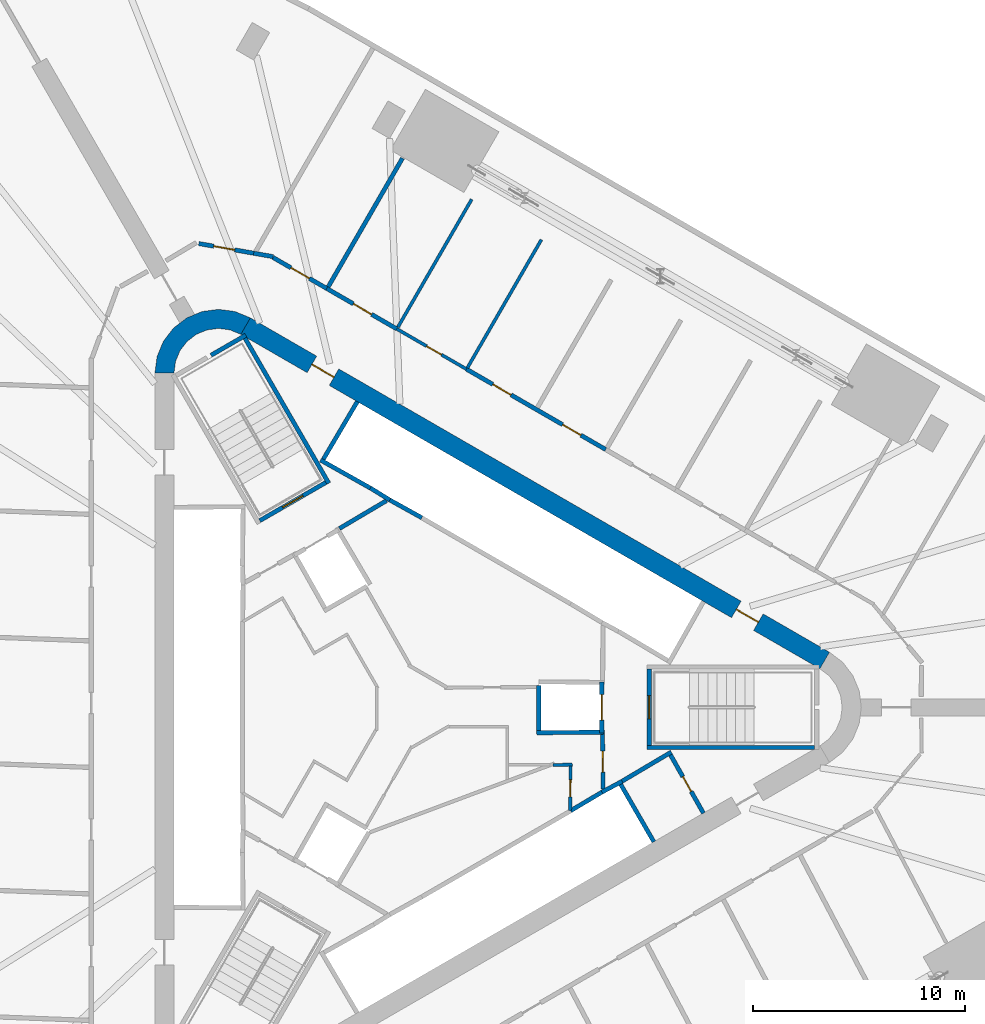
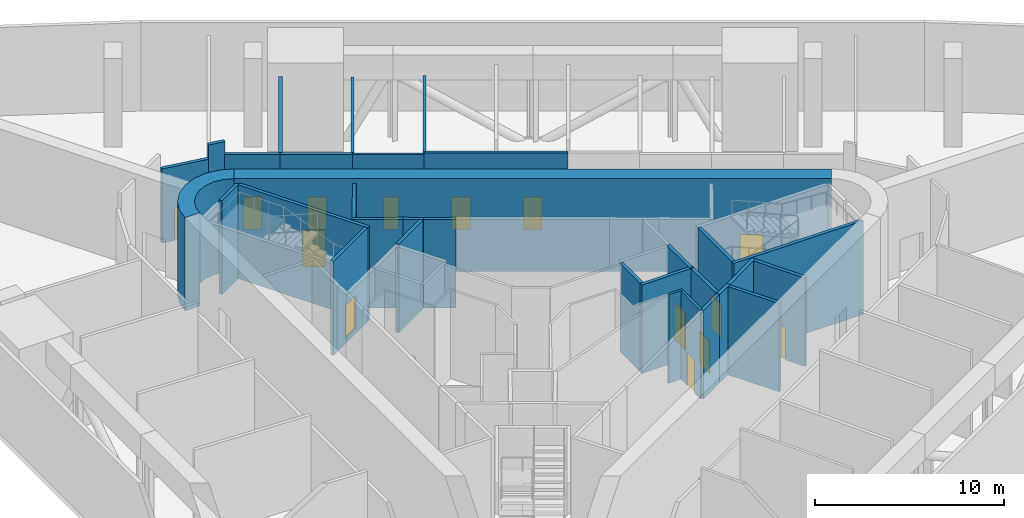
# One storey, part 9 of 14: 32 walls, 14 doors, 14 openings.
"""IFC4 building model written with IfcOpenShell, lengths in metres."""

from ifc_helpers import new_model, si_unit, direction, frame, frame_2d, origin, place, context, subcontext, project, spatial, polyline, rectangle, outline, extrude, material, layer, layer_set, type_object, element, fill, save


model = new_model("IFC4")

# Units and contexts
model_context = context("Model", 3, precision=1e-05, world=origin(), true_north=direction((0.0, 1.0)))
body_context = subcontext(model_context, "Body", "Model", "MODEL_VIEW")
ifc_project = project(units=[si_unit("LENGTHUNIT", "METRE"), si_unit("AREAUNIT", "SQUARE_METRE"), si_unit("VOLUMEUNIT", "CUBIC_METRE"), si_unit("PLANEANGLEUNIT", "RADIAN"), si_unit("MASSUNIT", "GRAM", prefix="KILO")], contexts=[model_context])

# Site, building, storey
site_placement = place(None, origin())
site = spatial("IfcSite", under=ifc_project, at=site_placement, CompositionType="ELEMENT")
building_placement = place(site_placement, origin())
building = spatial("IfcBuilding", under=site, at=building_placement, Name="Tanit Gate Tower", CompositionType="ELEMENT")
storey_placement = place(building_placement, frame((0.0, 0.0, 39.5)))
storey = spatial("IfcBuildingStorey", under=building, at=storey_placement, Name="L06", CompositionType="ELEMENT", Elevation=39.5)

# Wall, openings, doors
ifc_material_1 = material(Name="Concrete C60/75", Category="concrete")
ifc_layer_1 = layer(ifc_material_1, 0.89990234375)
ifc_layer_set_1 = layer_set([ifc_layer_1], Name="CORE WALL 900 C60/75")
wall_type_1 = type_object("IfcWallType", Name="CORE WALL 900 C60/75", PredefinedType="SHEAR", material=ifc_layer_set_1)
wall_1_placement = place(storey_placement, frame((19.47509765625, 2.20849609375, 0.0), z_axis=(0.0, 0.0, 1.0), x_axis=(-0.866028369851, 0.499994862586, 0.0)))
wall_1 = element("IfcWall", 1, at=wall_1_placement, inside=storey, type_object=wall_type_1, Name="CORE WALL", PredefinedType="SHEAR", context=body_context, shape_type="SweptSolid", body=[
    extrude(rectangle(XDim=31.523193359375, YDim=0.89990234375, at=frame_2d((15.76171875, 0.0))), origin(), (0.0, 0.0, 1.0), 6.0),
])
opening_1_placement = place(wall_1_placement, frame((3.611572265625, 0.0, 0.0)))
opening_1 = element("IfcOpeningElement", 2, at=opening_1_placement, cuts=wall_1, Name="Opening F12-06-FL1", PredefinedType="OPENING", context=body_context, shape_type="SweptSolid", body=[
    extrude(rectangle(XDim=1.199951171875, YDim=2.39990234375, at=frame_2d((0.60009765625, 1.199951171875))), frame((0.0, 0.4599609375, 0.0), z_axis=(0.0, -1.0, 0.0), x_axis=(1.0, 0.0, 0.0)), (0.0, 0.0, 1.0), 0.919921875),
])
opening_2_placement = place(wall_1_placement, frame((26.711669921875, 0.0, 0.0)))
opening_2 = element("IfcOpeningElement", 3, at=opening_2_placement, cuts=wall_1, Name="Opening F12-06-S2", PredefinedType="OPENING", context=body_context, shape_type="SweptSolid", body=[
    extrude(rectangle(XDim=1.199951171875, YDim=2.39990234375, at=frame_2d((0.60009765625, 1.199951171875))), frame((0.0, 0.4599609375, 0.0), z_axis=(0.0, -1.0, 0.0), x_axis=(1.0, 0.0, 0.0)), (0.0, 0.0, 1.0), 0.919921875),
])
ifc_material_2 = material(Name="Fire-rated steel door leaf", Category="steel")
door_type_1 = type_object("IfcDoorType", Name="INT-DOOR-FIRE-LOBBY-1200", OperationType="NOTDEFINED", PredefinedType="USERDEFINED", material=ifc_material_2)
door_1_placement = place(opening_1_placement, origin())
door_1 = element("IfcDoor", 4, at=door_1_placement, inside=storey, type_object=door_type_1, Name="Door F12-06-FL1", ObjectType="FIRE DOOR", OperationType="SINGLE_SWING_LEFT", OverallHeight=2.39990234375, OverallWidth=1.199951171875, PredefinedType="USERDEFINED", context=body_context, shape_type="SweptSolid", body=[
    extrude(rectangle(XDim=1.199951171875, YDim=2.39990234375, at=frame_2d((0.60009765625, 1.199951171875))), frame((0.0, 0.02490234375, 0.0), z_axis=(0.0, -1.0, 0.0), x_axis=(1.0, 0.0, 0.0)), (0.0, 0.0, 1.0), 0.050048828125),
])
fill(opening_1, door_1)
door_2_placement = place(opening_2_placement, origin())
door_2 = element("IfcDoor", 5, at=door_2_placement, inside=storey, type_object=door_type_1, Name="Door F12-06-S2", ObjectType="FIRE DOOR", OperationType="SINGLE_SWING_LEFT", OverallHeight=2.39990234375, OverallWidth=1.199951171875, PredefinedType="USERDEFINED", context=body_context, shape_type="SweptSolid", body=[
    extrude(rectangle(XDim=1.199951171875, YDim=2.39990234375, at=frame_2d((0.60009765625, 1.199951171875))), frame((0.0, 0.02490234375, 0.0), z_axis=(0.0, -1.0, 0.0), x_axis=(1.0, 0.0, 0.0)), (0.0, 0.0, 1.0), 0.050048828125),
])
fill(opening_2, door_2)

# Walls
wall_2_placement = place(storey_placement, origin())
element("IfcWall", 6, at=wall_2_placement, inside=storey, type_object=wall_type_1, Name="CORE WALL CORNER", PredefinedType="SHEAR", context=body_context, shape_type="SweptSolid", body=[
    extrude(outline(polyline([(-7.60009765625, 18.359619140625), (-8.323486328125, 18.659423828125), (-9.10009765625, 18.76171875), (-9.87646484375, 18.659423828125), (-10.60009765625, 18.359619140625), (-11.22119140625, 17.883056640625), (-11.697998046875, 17.26171875), (-11.997802734375, 16.5380859375), (-12.10009765625, 15.76171875), (-11.199951171875, 15.76171875), (-11.12841796875, 16.30517578125), (-10.918701171875, 16.811767578125), (-10.5849609375, 17.24658203125), (-10.14990234375, 17.580322265625), (-9.6435546875, 17.7900390625), (-9.10009765625, 17.86181640625), (-8.556396484375, 17.7900390625), (-8.050048828125, 17.580322265625), (-7.60009765625, 18.359619140625)])), origin(), (0.0, 0.0, 1.0), 6.0),
])
ifc_material_3 = material(Name="Fire-rated gypsum board partition")
ifc_layer_2 = layer(ifc_material_3, 0.199951171875)
ifc_layer_set_2 = layer_set([ifc_layer_2], Name="INT-WALL-COMPARTMENT")
wall_type_2 = type_object("IfcWallType", Name="INT-WALL-COMPARTMENT", PredefinedType="PARTITIONING", material=ifc_layer_set_2)
wall_3_placement = place(storey_placement, frame((12.244873046875, -2.10888671875, 0.0), z_axis=(0.0, 0.0, 1.0), x_axis=(-0.860414880418, -0.509594185166, 0.0)))
element("IfcWall", 7, at=wall_3_placement, inside=storey, type_object=wall_type_2, Name="Wall Compartment W060", PredefinedType="PARTITIONING", context=body_context, shape_type="SweptSolid", body=[
    extrude(rectangle(XDim=2.7001953125, YDim=0.199951171875, at=frame_2d((1.35009765625, 0.0))), origin(), (0.0, 0.0, 1.0), 5.699951171875),
])

# Wall, opening, door
wall_4_placement = place(storey_placement, frame((13.758056640625, -4.989501953125, 0.0), z_axis=(0.0, 0.0, 1.0), x_axis=(-0.491993409184, 0.87059892334, 0.0)))
wall_4 = element("IfcWall", 8, at=wall_4_placement, inside=storey, type_object=wall_type_2, Name="Wall Compartment W061", PredefinedType="PARTITIONING", context=body_context, shape_type="SweptSolid", body=[
    extrude(rectangle(XDim=3.150146484375, YDim=0.199951171875, at=frame_2d((1.5751953125, 0.0))), origin(), (0.0, 0.0, 1.0), 5.699951171875),
])
opening_3_placement = place(wall_4_placement, frame((1.175048828125, 0.0, 0.0)))
opening_3 = element("IfcOpeningElement", 9, at=opening_3_placement, cuts=wall_4, Name="Opening R08-06-14", PredefinedType="OPENING", context=body_context, shape_type="SweptSolid", body=[
    extrude(rectangle(XDim=0.800048828125, YDim=2.10009765625, at=frame_2d((0.39990234375, 1.050048828125))), frame((0.0, 0.10986328125, 0.0), z_axis=(0.0, -1.0, 0.0), x_axis=(1.0, 0.0, 0.0)), (0.0, 0.0, 1.0), 0.219970703125),
])
ifc_material_4 = material(Name="Timber door leaf", Category="wood")
door_type_2 = type_object("IfcDoorType", Name="INT-DOOR-RISER-800", OperationType="NOTDEFINED", PredefinedType="USERDEFINED", material=ifc_material_4)
door_3_placement = place(opening_3_placement, origin())
door_3 = element("IfcDoor", 10, at=door_3_placement, inside=storey, type_object=door_type_2, Name="Door R08-06-14", ObjectType="FIRE DOOR", OperationType="SINGLE_SWING_RIGHT", OverallHeight=2.10009765625, OverallWidth=0.800048828125, PredefinedType="USERDEFINED", context=body_context, shape_type="SweptSolid", body=[
    extrude(rectangle(XDim=0.800048828125, YDim=2.10009765625, at=frame_2d((0.39990234375, 1.050048828125))), frame((0.0, 0.02490234375, 0.0), z_axis=(0.0, -1.0, 0.0), x_axis=(1.0, 0.0, 0.0)), (0.0, 0.0, 1.0), 0.050048828125),
])
fill(opening_3, door_3)

wall_5_placement = place(storey_placement, frame((9.02880859375, -3.850830078125, 0.0), z_axis=(0.0, 0.0, 1.0), x_axis=(-0.010783593937, 0.99994185536, 0.0)))
wall_5 = element("IfcWall", 11, at=wall_5_placement, inside=storey, type_object=wall_type_2, Name="Wall Compartment W063", PredefinedType="PARTITIONING", context=body_context, shape_type="SweptSolid", body=[
    extrude(rectangle(XDim=2.5810546875, YDim=0.199951171875, at=frame_2d((1.29052734375, 0.0))), origin(), (0.0, 0.0, 1.0), 5.699951171875),
])
opening_4_placement = place(wall_5_placement, frame((0.79052734375, 0.0, 0.0)))
opening_4 = element("IfcOpeningElement", 12, at=opening_4_placement, cuts=wall_5, Name="Opening F10-06-02", PredefinedType="OPENING", context=body_context, shape_type="SweptSolid", body=[
    extrude(rectangle(XDim=1.0, YDim=2.10009765625, at=frame_2d((0.5, 1.050048828125))), frame((0.0, 0.10986328125, 0.0), z_axis=(0.0, -1.0, 0.0), x_axis=(1.0, 0.0, 0.0)), (0.0, 0.0, 1.0), 0.219970703125),
])
ifc_material_5 = material(Name="Fire-rated steel door leaf", Category="steel")
door_type_3 = type_object("IfcDoorType", Name="INT-DOOR-FIRE-1000", OperationType="NOTDEFINED", PredefinedType="USERDEFINED", material=ifc_material_5)
door_4_placement = place(opening_4_placement, origin())
door_4 = element("IfcDoor", 13, at=door_4_placement, inside=storey, type_object=door_type_3, Name="Door F10-06-02", ObjectType="FIRE DOOR", OperationType="SINGLE_SWING_LEFT", OverallHeight=2.10009765625, OverallWidth=1.0, PredefinedType="USERDEFINED", context=body_context, shape_type="SweptSolid", body=[
    extrude(rectangle(XDim=1.0, YDim=2.10009765625, at=frame_2d((0.5, 1.050048828125))), frame((0.0, 0.02490234375, 0.0), z_axis=(0.0, -1.0, 0.0), x_axis=(1.0, 0.0, 0.0)), (0.0, 0.0, 1.0), 0.050048828125),
])
fill(opening_4, door_4)

# Walls
wall_6_placement = place(storey_placement, frame((-1.1796875, 9.744384765625, 0.0), z_axis=(0.0, 0.0, 1.0), x_axis=(-0.860615607571, -0.509255118781, 0.0)))
element("IfcWall", 14, at=wall_6_placement, inside=storey, type_object=wall_type_2, Name="Wall Compartment W064", PredefinedType="PARTITIONING", context=body_context, shape_type="SweptSolid", body=[
    extrude(rectangle(XDim=2.58056640625, YDim=0.199951171875, at=frame_2d((1.290283203125, 0.0))), origin(), (0.0, 0.0, 1.0), 5.699951171875),
])
wall_7_placement = place(storey_placement, frame((-6.5283203125, 21.24462890625, 0.0), z_axis=(0.0, 0.0, 1.0), x_axis=(-0.984820658636, 0.173574970324, 0.0)))
element("IfcWall", 15, at=wall_7_placement, inside=storey, type_object=wall_type_2, Name="Wall Compartment W111", PredefinedType="PARTITIONING", context=body_context, shape_type="SweptSolid", body=[
    extrude(rectangle(XDim=0.927001953125, YDim=0.199951171875, at=frame_2d((0.46337890625, 0.0))), origin(), (0.0, 0.0, 1.0), 5.699951171875),
])

# Wall, opening, door
wall_8_placement = place(storey_placement, frame((-7.441162109375, 21.405517578125, 0.0), z_axis=(0.0, 0.0, 1.0), x_axis=(-0.984798516993, 0.173700549592, 0.0)))
wall_8 = element("IfcWall", 16, at=wall_8_placement, inside=storey, type_object=wall_type_2, Name="Wall Compartment W110", PredefinedType="PARTITIONING", context=body_context, shape_type="SweptSolid", body=[
    extrude(rectangle(XDim=2.62841796875, YDim=0.199951171875, at=frame_2d((1.314208984375, 0.0))), origin(), (0.0, 0.0, 1.0), 4.780029296875),
])
opening_5_placement = place(wall_8_placement, frame((0.918701171875, 0.0, 0.0)))
opening_5 = element("IfcOpeningElement", 17, at=opening_5_placement, cuts=wall_8, Name="Opening F10-06-22", PredefinedType="OPENING", context=body_context, shape_type="SweptSolid", body=[
    extrude(rectangle(XDim=1.0, YDim=2.10009765625, at=frame_2d((0.5, 1.050048828125))), frame((0.0, 0.10986328125, 0.0), z_axis=(0.0, -1.0, 0.0), x_axis=(1.0, 0.0, 0.0)), (0.0, 0.0, 1.0), 0.219970703125),
])
door_5_placement = place(opening_5_placement, origin())
door_5 = element("IfcDoor", 18, at=door_5_placement, inside=storey, type_object=door_type_3, Name="Door F10-06-22", ObjectType="FIRE DOOR", OperationType="SINGLE_SWING_RIGHT", OverallHeight=2.10009765625, OverallWidth=1.0, PredefinedType="USERDEFINED", context=body_context, shape_type="SweptSolid", body=[
    extrude(rectangle(XDim=1.0, YDim=2.10009765625, at=frame_2d((0.5, 1.050048828125))), frame((0.0, 0.02490234375, 0.0), z_axis=(0.0, -1.0, 0.0), x_axis=(1.0, 0.0, 0.0)), (0.0, 0.0, 1.0), 0.050048828125),
])
fill(opening_5, door_5)

# Wall, openings, doors
wall_9_placement = place(storey_placement, frame((9.150390625, 12.153076171875, 0.0), z_axis=(0.0, 0.0, 1.0), x_axis=(-0.866026268399, 0.49999850244, 0.0)))
wall_9 = element("IfcWall", 19, at=wall_9_placement, inside=storey, type_object=wall_type_2, Name="Wall Compartment W116", PredefinedType="PARTITIONING", context=body_context, shape_type="SweptSolid", body=[
    extrude(rectangle(XDim=7.5791015625, YDim=0.199951171875, at=frame_2d((3.78955078125, 0.0))), origin(), (0.0, 0.0, 1.0), 4.97998046875),
])
opening_6_placement = place(wall_9_placement, frame((5.145751953125, 0.0, 0.0)))
opening_6 = element("IfcOpeningElement", 20, at=opening_6_placement, cuts=wall_9, Name="Opening F10-06-26", PredefinedType="OPENING", context=body_context, shape_type="SweptSolid", body=[
    extrude(rectangle(XDim=1.0, YDim=2.10009765625, at=frame_2d((0.5, 1.050048828125))), frame((0.0, 0.10986328125, 0.0), z_axis=(0.0, -1.0, 0.0), x_axis=(1.0, 0.0, 0.0)), (0.0, 0.0, 1.0), 0.219970703125),
])
opening_7_placement = place(wall_9_placement, frame((1.35009765625, 0.0, 0.0)))
opening_7 = element("IfcOpeningElement", 21, at=opening_7_placement, cuts=wall_9, Name="Opening F10-06-27", PredefinedType="OPENING", context=body_context, shape_type="SweptSolid", body=[
    extrude(rectangle(XDim=1.0, YDim=2.10009765625, at=frame_2d((0.5, 1.050048828125))), frame((0.0, 0.10986328125, 0.0), z_axis=(0.0, -1.0, 0.0), x_axis=(1.0, 0.0, 0.0)), (0.0, 0.0, 1.0), 0.219970703125),
])
door_6_placement = place(opening_6_placement, origin())
door_6 = element("IfcDoor", 22, at=door_6_placement, inside=storey, type_object=door_type_3, Name="Door F10-06-26", ObjectType="FIRE DOOR", OperationType="SINGLE_SWING_LEFT", OverallHeight=2.10009765625, OverallWidth=1.0, PredefinedType="USERDEFINED", context=body_context, shape_type="SweptSolid", body=[
    extrude(rectangle(XDim=1.0, YDim=2.10009765625, at=frame_2d((0.5, 1.050048828125))), frame((0.0, 0.02490234375, 0.0), z_axis=(0.0, -1.0, 0.0), x_axis=(1.0, 0.0, 0.0)), (0.0, 0.0, 1.0), 0.050048828125),
])
fill(opening_6, door_6)
door_7_placement = place(opening_7_placement, origin())
door_7 = element("IfcDoor", 23, at=door_7_placement, inside=storey, type_object=door_type_3, Name="Door F10-06-27", ObjectType="FIRE DOOR", OperationType="SINGLE_SWING_LEFT", OverallHeight=2.10009765625, OverallWidth=1.0, PredefinedType="USERDEFINED", context=body_context, shape_type="SweptSolid", body=[
    extrude(rectangle(XDim=1.0, YDim=2.10009765625, at=frame_2d((0.5, 1.050048828125))), frame((0.0, 0.02490234375, 0.0), z_axis=(0.0, -1.0, 0.0), x_axis=(1.0, 0.0, 0.0)), (0.0, 0.0, 1.0), 0.050048828125),
])
fill(opening_7, door_7)

# Wall, opening, door
wall_10_placement = place(storey_placement, frame((-0.700439453125, 17.84033203125, 0.0), z_axis=(0.0, 0.0, 1.0), x_axis=(-0.866009436129, 0.500027655771, 0.0)))
wall_10 = element("IfcWall", 24, at=wall_10_placement, inside=storey, type_object=wall_type_2, Name="Wall Compartment W113", PredefinedType="PARTITIONING", context=body_context, shape_type="SweptSolid", body=[
    extrude(rectangle(XDim=3.808349609375, YDim=0.199951171875, at=frame_2d((1.904296875, 0.0))), origin(), (0.0, 0.0, 1.0), 4.8798828125),
])
opening_8_placement = place(wall_10_placement, frame((1.362548828125, 0.0, 0.0)))
opening_8 = element("IfcOpeningElement", 25, at=opening_8_placement, cuts=wall_10, Name="Opening F10-06-24", PredefinedType="OPENING", context=body_context, shape_type="SweptSolid", body=[
    extrude(rectangle(XDim=1.0, YDim=2.10009765625, at=frame_2d((0.5, 1.050048828125))), frame((0.0, 0.10986328125, 0.0), z_axis=(0.0, -1.0, 0.0), x_axis=(1.0, 0.0, 0.0)), (0.0, 0.0, 1.0), 0.219970703125),
])
door_8_placement = place(opening_8_placement, origin())
door_8 = element("IfcDoor", 26, at=door_8_placement, inside=storey, type_object=door_type_3, Name="Door F10-06-24", ObjectType="FIRE DOOR", OperationType="SINGLE_SWING_LEFT", OverallHeight=2.10009765625, OverallWidth=1.0, PredefinedType="USERDEFINED", context=body_context, shape_type="SweptSolid", body=[
    extrude(rectangle(XDim=1.0, YDim=2.10009765625, at=frame_2d((0.5, 1.050048828125))), frame((0.0, 0.02490234375, 0.0), z_axis=(0.0, -1.0, 0.0), x_axis=(1.0, 0.0, 0.0)), (0.0, 0.0, 1.0), 0.050048828125),
])
fill(opening_8, door_8)

wall_11_placement = place(storey_placement, frame((-3.99853515625, 19.74462890625, 0.0), z_axis=(0.0, 0.0, 1.0), x_axis=(-0.866053990355, 0.499950483338, 0.0)))
wall_11 = element("IfcWall", 27, at=wall_11_placement, inside=storey, type_object=wall_type_2, Name="Wall Compartment W112", PredefinedType="PARTITIONING", context=body_context, shape_type="SweptSolid", body=[
    extrude(rectangle(XDim=2.934814453125, YDim=0.199951171875, at=frame_2d((1.46728515625, 0.0))), origin(), (0.0, 0.0, 1.0), 4.8798828125),
])
opening_9_placement = place(wall_11_placement, frame((0.949951171875, 0.0, 0.0)))
opening_9 = element("IfcOpeningElement", 28, at=opening_9_placement, cuts=wall_11, Name="Opening F10-06-23", PredefinedType="OPENING", context=body_context, shape_type="SweptSolid", body=[
    extrude(rectangle(XDim=1.0, YDim=2.10009765625, at=frame_2d((0.5, 1.050048828125))), frame((0.0, 0.10986328125, 0.0), z_axis=(0.0, -1.0, 0.0), x_axis=(1.0, 0.0, 0.0)), (0.0, 0.0, 1.0), 0.219970703125),
])
door_9_placement = place(opening_9_placement, origin())
door_9 = element("IfcDoor", 29, at=door_9_placement, inside=storey, type_object=door_type_3, Name="Door F10-06-23", ObjectType="FIRE DOOR", OperationType="SINGLE_SWING_LEFT", OverallHeight=2.10009765625, OverallWidth=1.0, PredefinedType="USERDEFINED", context=body_context, shape_type="SweptSolid", body=[
    extrude(rectangle(XDim=1.0, YDim=2.10009765625, at=frame_2d((0.5, 1.050048828125))), frame((0.0, 0.02490234375, 0.0), z_axis=(0.0, -1.0, 0.0), x_axis=(1.0, 0.0, 0.0)), (0.0, 0.0, 1.0), 0.050048828125),
])
fill(opening_9, door_9)

# Walls
wall_12_placement = place(storey_placement, frame((-3.93115234375, 19.821044921875, 0.0), z_axis=(0.0, 0.0, 1.0), x_axis=(0.499997052475, 0.866027105532, 0.0)))
element("IfcWall", 30, at=wall_12_placement, inside=storey, type_object=wall_type_2, Name="Wall Compartment W125", PredefinedType="PARTITIONING", context=body_context, shape_type="SweptSolid", body=[
    extrude(rectangle(XDim=7.00341796875, YDim=0.199951171875, at=frame_2d((3.501708984375, 0.0))), origin(), (0.0, 0.0, 1.0), 4.8798828125),
])
ifc_material_6 = material(Name="Fire-rated gypsum board partition")
ifc_layer_3 = layer(ifc_material_6, 0.14990234375)
ifc_layer_set_3 = layer_set([ifc_layer_3], Name="INT-WALL-RISER")
wall_type_3 = type_object("IfcWallType", Name="INT-WALL-RISER", PredefinedType="PLUMBINGWALL", material=ifc_layer_set_3)
wall_13_placement = place(storey_placement, frame((7.574951171875, -2.69775390625, 0.0), z_axis=(0.0, 0.0, 1.0), x_axis=(-0.999552240565, -0.029921871279, 0.0)))
element("IfcWall", 31, at=wall_13_placement, inside=storey, type_object=wall_type_3, Name="Wall Riser W077", PredefinedType="PLUMBINGWALL", context=body_context, shape_type="SweptSolid", body=[
    extrude(rectangle(XDim=0.90576171875, YDim=0.14990234375, at=frame_2d((0.452880859375, 0.0))), origin(), (0.0, 0.0, 1.0), 5.699951171875),
])

# Wall, opening, door
wall_14_placement = place(storey_placement, frame((7.474609375, -4.864501953125, 0.0), z_axis=(0.0, 0.0, 1.0), x_axis=(0.011682810534, 0.99993175364, 0.0)))
wall_14 = element("IfcWall", 32, at=wall_14_placement, inside=storey, type_object=wall_type_3, Name="Wall Riser W078", PredefinedType="PLUMBINGWALL", context=body_context, shape_type="SweptSolid", body=[
    extrude(rectangle(XDim=2.08984375, YDim=0.14990234375, at=frame_2d((1.044921875, 0.0))), origin(), (0.0, 0.0, 1.0), 5.699951171875),
])
opening_10_placement = place(wall_14_placement, frame((0.644775390625, 0.0, 0.0)))
opening_10 = element("IfcOpeningElement", 33, at=opening_10_placement, cuts=wall_14, Name="Opening R08-06-12", PredefinedType="OPENING", context=body_context, shape_type="SweptSolid", body=[
    extrude(rectangle(XDim=0.800048828125, YDim=2.10009765625, at=frame_2d((0.39990234375, 1.050048828125))), frame((0.0, 0.0849609375, 0.0), z_axis=(0.0, -1.0, 0.0), x_axis=(1.0, 0.0, 0.0)), (0.0, 0.0, 1.0), 0.169921875),
])
door_10_placement = place(opening_10_placement, origin())
door_10 = element("IfcDoor", 34, at=door_10_placement, inside=storey, type_object=door_type_2, Name="Door R08-06-12", ObjectType="FIRE DOOR", OperationType="SINGLE_SWING_RIGHT", OverallHeight=2.10009765625, OverallWidth=0.800048828125, PredefinedType="USERDEFINED", context=body_context, shape_type="SweptSolid", body=[
    extrude(rectangle(XDim=0.800048828125, YDim=2.10009765625, at=frame_2d((0.39990234375, 1.050048828125))), frame((0.0, 0.02490234375, 0.0), z_axis=(0.0, -1.0, 0.0), x_axis=(1.0, 0.0, 0.0)), (0.0, 0.0, 1.0), 0.050048828125),
])
fill(opening_10, door_10)

wall_15_placement = place(storey_placement, frame((2.586669921875, 15.942626953125, 0.0), z_axis=(0.0, 0.0, 1.0), x_axis=(-0.866037770685, 0.499978579288, 0.0)))
wall_15 = element("IfcWall", 35, at=wall_15_placement, inside=storey, type_object=wall_type_3, Name="Wall Riser W114", PredefinedType="PLUMBINGWALL", context=body_context, shape_type="SweptSolid", body=[
    extrude(rectangle(XDim=3.795654296875, YDim=0.14990234375, at=frame_2d((1.89794921875, 0.0))), origin(), (0.0, 0.0, 1.0), 4.8798828125),
])
opening_11_placement = place(wall_15_placement, frame((1.362548828125, 0.0, 0.0)))
opening_11 = element("IfcOpeningElement", 36, at=opening_11_placement, cuts=wall_15, Name="Opening R08-06-25", PredefinedType="OPENING", context=body_context, shape_type="SweptSolid", body=[
    extrude(rectangle(XDim=0.800048828125, YDim=2.10009765625, at=frame_2d((0.39990234375, 1.050048828125))), frame((0.0, 0.0849609375, 0.0), z_axis=(0.0, -1.0, 0.0), x_axis=(1.0, 0.0, 0.0)), (0.0, 0.0, 1.0), 0.169921875),
])
door_11_placement = place(opening_11_placement, origin())
door_11 = element("IfcDoor", 37, at=door_11_placement, inside=storey, type_object=door_type_2, Name="Door R08-06-25", ObjectType="FIRE DOOR", OperationType="SINGLE_SWING_RIGHT", OverallHeight=2.10009765625, OverallWidth=0.800048828125, PredefinedType="USERDEFINED", context=body_context, shape_type="SweptSolid", body=[
    extrude(rectangle(XDim=0.800048828125, YDim=2.10009765625, at=frame_2d((0.39990234375, 1.050048828125))), frame((0.0, 0.02490234375, 0.0), z_axis=(0.0, -1.0, 0.0), x_axis=(1.0, 0.0, 0.0)), (0.0, 0.0, 1.0), 0.050048828125),
])
fill(opening_11, door_11)

# Walls
wall_16_placement = place(storey_placement, frame((-0.64404296875, 17.92333984375, 0.0), z_axis=(0.0, 0.0, 1.0), x_axis=(0.500017264306, 0.866015436003, 0.0)))
element("IfcWall", 38, at=wall_16_placement, inside=storey, type_object=wall_type_3, Name="Wall Riser W126", PredefinedType="PLUMBINGWALL", context=body_context, shape_type="SweptSolid", body=[
    extrude(rectangle(XDim=6.953369140625, YDim=0.14990234375, at=frame_2d((3.4765625, 0.0))), origin(), (0.0, 0.0, 1.0), 4.8798828125),
])
wall_17_placement = place(storey_placement, frame((2.630615234375, 16.003662109375, 0.0), z_axis=(0.0, 0.0, 1.0), x_axis=(0.500007122158, 0.866021291765, 0.0)))
element("IfcWall", 39, at=wall_17_placement, inside=storey, type_object=wall_type_3, Name="Wall Riser W127", PredefinedType="PLUMBINGWALL", context=body_context, shape_type="SweptSolid", body=[
    extrude(rectangle(XDim=6.978515625, YDim=0.14990234375, at=frame_2d((3.4892578125, 0.0))), origin(), (0.0, 0.0, 1.0), 4.97998046875),
])
ifc_material_7 = material(Name="Gypsum shaft wall system")
ifc_layer_4 = layer(ifc_material_7, 0.199951171875)
ifc_layer_set_4 = layer_set([ifc_layer_4], Name="INT-WALL-SHAFT")
wall_type_4 = type_object("IfcWallType", Name="INT-WALL-SHAFT", PredefinedType="PLUMBINGWALL", material=ifc_layer_set_4)
wall_18_placement = place(storey_placement, frame((-1.940673828125, 10.338623046875, 0.0), z_axis=(0.0, 0.0, 1.0), x_axis=(0.850216889117, -0.526432561171, 0.0)))
element("IfcWall", 40, at=wall_18_placement, inside=storey, type_object=wall_type_4, Name="Wall Shaft W019", PredefinedType="PLUMBINGWALL", context=body_context, shape_type="SweptSolid", body=[
    extrude(rectangle(XDim=1.078369140625, YDim=0.199951171875, at=frame_2d((0.5390625, 0.0))), origin(), (0.0, 0.0, 1.0), 5.699951171875),
])
wall_19_placement = place(storey_placement, frame((0.482666015625, 8.935791015625, 0.0), z_axis=(0.0, 0.0, 1.0), x_axis=(-0.874269620932, 0.485440655401, 0.0)))
element("IfcWall", 41, at=wall_19_placement, inside=storey, type_object=wall_type_4, Name="Wall Shaft W020", PredefinedType="PLUMBINGWALL", context=body_context, shape_type="SweptSolid", body=[
    extrude(rectangle(XDim=1.8447265625, YDim=0.199951171875, at=frame_2d((0.92236328125, 0.0))), origin(), (0.0, 0.0, 1.0), 5.699951171875),
])
wall_20_placement = place(storey_placement, frame((-4.296142578125, 11.658935546875, 0.0), z_axis=(0.0, 0.0, 1.0), x_axis=(0.871534483978, -0.490334215854, 0.0)))
element("IfcWall", 42, at=wall_20_placement, inside=storey, type_object=wall_type_4, Name="Wall Shaft W021", PredefinedType="PLUMBINGWALL", context=body_context, shape_type="SweptSolid", body=[
    extrude(rectangle(XDim=2.7001953125, YDim=0.199951171875, at=frame_2d((1.35009765625, 0.0))), origin(), (0.0, 0.0, 1.0), 5.699951171875),
])
wall_21_placement = place(storey_placement, frame((-4.158203125, 11.696044921875, 0.0), z_axis=(0.0, 0.0, 1.0), x_axis=(0.508018930956, 0.861345903683, 0.0)))
element("IfcWall", 43, at=wall_21_placement, inside=storey, type_object=wall_type_4, Name="Wall Shaft W022", PredefinedType="PLUMBINGWALL", context=body_context, shape_type="SweptSolid", body=[
    extrude(rectangle(XDim=3.150146484375, YDim=0.199951171875, at=frame_2d((1.5751953125, 0.0))), origin(), (0.0, 0.0, 1.0), 5.699951171875),
])
wall_22_placement = place(storey_placement, frame((9.794677734375, -3.52490234375, 0.0), z_axis=(0.0, 0.0, 1.0), x_axis=(0.499984717929, -0.866034226713, 0.0)))
element("IfcWall", 44, at=wall_22_placement, inside=storey, type_object=wall_type_4, Name="Wall Shaft W024", PredefinedType="PLUMBINGWALL", context=body_context, shape_type="SweptSolid", body=[
    extrude(rectangle(XDim=3.25, YDim=0.199951171875, at=frame_2d((1.625, 0.0))), origin(), (0.0, 0.0, 1.0), 5.699951171875),
])
wall_23_placement = place(storey_placement, frame((8.97412109375, -3.998779296875, 0.0), z_axis=(0.0, 0.0, 1.0), x_axis=(0.880907015104, 0.473289373154, 0.0)))
element("IfcWall", 45, at=wall_23_placement, inside=storey, type_object=wall_type_4, Name="Wall Shaft W025", PredefinedType="PLUMBINGWALL", context=body_context, shape_type="SweptSolid", body=[
    extrude(rectangle(XDim=1.078125, YDim=0.199951171875, at=frame_2d((0.5390625, 0.0))), origin(), (0.0, 0.0, 1.0), 5.699951171875),
])
wall_24_placement = place(storey_placement, frame((7.4931640625, -4.87841796875, 0.0), z_axis=(0.0, 0.0, 1.0), x_axis=(0.859981807212, 0.510324691999, 0.0)))
element("IfcWall", 46, at=wall_24_placement, inside=storey, type_object=wall_type_4, Name="Wall Shaft W026", PredefinedType="PLUMBINGWALL", context=body_context, shape_type="SweptSolid", body=[
    extrude(rectangle(XDim=1.8447265625, YDim=0.199951171875, at=frame_2d((0.92236328125, 0.0))), origin(), (0.0, 0.0, 1.0), 5.699951171875),
])

# Wall, opening, door
wall_25_placement = place(storey_placement, frame((8.969970703125, 1.199951171875, 0.0), z_axis=(0.0, 0.0, 1.0), x_axis=(0.0, -1.0, 0.0)))
wall_25 = element("IfcWall", 47, at=wall_25_placement, inside=storey, type_object=wall_type_4, Name="Wall Shaft W038", PredefinedType="PLUMBINGWALL", context=body_context, shape_type="SweptSolid", body=[
    extrude(rectangle(XDim=2.39990234375, YDim=0.199951171875, at=frame_2d((1.199951171875, 0.0))), origin(), (0.0, 0.0, 1.0), 5.699951171875),
])
opening_12_placement = place(wall_25_placement, frame((0.60009765625, 0.0, 0.0)))
opening_12 = element("IfcOpeningElement", 48, at=opening_12_placement, cuts=wall_25, Name="Opening LDFL1-L06", PredefinedType="OPENING", context=body_context, shape_type="SweptSolid", body=[
    extrude(rectangle(XDim=1.199951171875, YDim=2.39990234375, at=frame_2d((0.60009765625, 1.199951171875))), frame((0.0, 0.10986328125, 0.0), z_axis=(0.0, -1.0, 0.0), x_axis=(1.0, 0.0, 0.0)), (0.0, 0.0, 1.0), 0.219970703125),
])
ifc_material_8 = material(Name="Stainless steel sliding door leaf", Category="steel")
door_type_4 = type_object("IfcDoorType", Name="INT-DOOR-LANDING-1200", OperationType="NOTDEFINED", PredefinedType="USERDEFINED", material=ifc_material_8)
door_12_placement = place(opening_12_placement, origin())
door_12 = element("IfcDoor", 49, at=door_12_placement, inside=storey, type_object=door_type_4, Name="Door LDFL1-L06", ObjectType="LANDING DOOR", OperationType="SLIDING_TO_LEFT", OverallHeight=2.39990234375, OverallWidth=1.199951171875, PredefinedType="USERDEFINED", context=body_context, shape_type="SweptSolid", body=[
    extrude(rectangle(XDim=1.199951171875, YDim=2.39990234375, at=frame_2d((0.60009765625, 1.199951171875))), frame((0.0, 0.02490234375, 0.0), z_axis=(0.0, -1.0, 0.0), x_axis=(1.0, 0.0, 0.0)), (0.0, 0.0, 1.0), 0.050048828125),
])
fill(opening_12, door_12)

# Walls
wall_26_placement = place(storey_placement, frame((5.89990234375, -1.200927734375, 0.0), z_axis=(0.0, 0.0, 1.0), x_axis=(0.999950064753, 0.009993397809, 0.0)))
element("IfcWall", 50, at=wall_26_placement, inside=storey, type_object=wall_type_4, Name="Wall Shaft W040", PredefinedType="PLUMBINGWALL", context=body_context, shape_type="SweptSolid", body=[
    extrude(rectangle(XDim=3.200439453125, YDim=0.199951171875, at=frame_2d((1.60009765625, 0.0))), origin(), (0.0, 0.0, 1.0), 5.699951171875),
])
wall_27_placement = place(storey_placement, frame((6.0, -1.10009765625, 0.0), z_axis=(0.0, 0.0, 1.0), x_axis=(0.0, 1.0, 0.0)))
element("IfcWall", 51, at=wall_27_placement, inside=storey, type_object=wall_type_4, Name="Wall Shaft W041", PredefinedType="PLUMBINGWALL", context=body_context, shape_type="SweptSolid", body=[
    extrude(rectangle(XDim=2.129638671875, YDim=0.199951171875, at=frame_2d((1.06494140625, 0.0))), origin(), (0.0, 0.0, 1.0), 5.699951171875),
])
ifc_material_9 = material(Name="Concrete C40/50", Category="concrete")
ifc_layer_5 = layer(ifc_material_9, 0.199951171875)
ifc_layer_set_5 = layer_set([ifc_layer_5], Name="INT-WALL-STAIR")
wall_type_5 = type_object("IfcWallType", Name="INT-WALL-STAIR", PredefinedType="SHEAR", material=ifc_layer_set_5)
wall_28_placement = place(storey_placement, frame((11.10009765625, -1.89990234375, -0.35009765625), z_axis=(0.0, 0.0, 1.0), x_axis=(1.0, 0.0, 0.0)))
element("IfcWall", 52, at=wall_28_placement, inside=storey, type_object=wall_type_5, Name="Wall Stair W036", PredefinedType="SHEAR", context=body_context, shape_type="SweptSolid", body=[
    extrude(rectangle(XDim=7.89990234375, YDim=0.199951171875, at=frame_2d((3.949951171875, 0.0))), origin(), (0.0, 0.0, 1.0), 6.050048828125),
])

# Wall, opening, door
wall_29_placement = place(storey_placement, frame((11.199951171875, -1.800048828125, -0.35009765625), z_axis=(0.0, 0.0, 1.0), x_axis=(0.0, 1.0, 0.0)))
wall_29 = element("IfcWall", 53, at=wall_29_placement, inside=storey, type_object=wall_type_5, Name="Wall Stair W037", PredefinedType="SHEAR", context=body_context, shape_type="SweptSolid", body=[
    extrude(rectangle(XDim=3.60009765625, YDim=0.199951171875, at=frame_2d((1.800048828125, 0.0))), origin(), (0.0, 0.0, 1.0), 6.050048828125),
])
opening_13_placement = place(wall_29_placement, frame((1.25, 0.0, 0.35009765625)))
opening_13 = element("IfcOpeningElement", 54, at=opening_13_placement, cuts=wall_29, Name="Opening S11-06-01", PredefinedType="OPENING", context=body_context, shape_type="SweptSolid", body=[
    extrude(rectangle(XDim=1.10009765625, YDim=2.10009765625, at=frame_2d((0.550048828125, 1.050048828125))), frame((0.0, 0.10986328125, 0.0), z_axis=(0.0, -1.0, 0.0), x_axis=(1.0, 0.0, 0.0)), (0.0, 0.0, 1.0), 0.219970703125),
])
ifc_material_10 = material(Name="Timber door leaf", Category="wood")
door_type_5 = type_object("IfcDoorType", Name="INT-DOOR-STAIR-1100", OperationType="NOTDEFINED", PredefinedType="USERDEFINED", material=ifc_material_10)
door_13_placement = place(opening_13_placement, origin())
door_13 = element("IfcDoor", 55, at=door_13_placement, inside=storey, type_object=door_type_5, Name="Door S11-06-01", ObjectType="FIRE DOOR", OperationType="SINGLE_SWING_LEFT", OverallHeight=2.10009765625, OverallWidth=1.10009765625, PredefinedType="USERDEFINED", context=body_context, shape_type="SweptSolid", body=[
    extrude(rectangle(XDim=1.10009765625, YDim=2.10009765625, at=frame_2d((0.550048828125, 1.050048828125))), frame((0.0, 0.02490234375, 0.0), z_axis=(0.0, -1.0, 0.0), x_axis=(1.0, 0.0, 0.0)), (0.0, 0.0, 1.0), 0.050048828125),
])
fill(opening_13, door_13)

# Walls
wall_30_placement = place(storey_placement, frame((-7.81787109375, 17.541015625, -0.35009765625), z_axis=(0.0, 0.0, 1.0), x_axis=(-0.866088799389, -0.499890179513, 0.0)))
element("IfcWall", 56, at=wall_30_placement, inside=storey, type_object=wall_type_5, Name="Wall Stair W044", PredefinedType="SHEAR", context=body_context, shape_type="SweptSolid", body=[
    extrude(rectangle(XDim=1.89013671875, YDim=0.199951171875, at=frame_2d((0.945068359375, 0.0))), origin(), (0.0, 0.0, 1.0), 6.050048828125),
])
wall_31_placement = place(storey_placement, frame((-7.8544921875, 17.404541015625, -0.35009765625), z_axis=(0.0, 0.0, 1.0), x_axis=(0.499997992926, -0.866026562566, 0.0)))
element("IfcWall", 57, at=wall_31_placement, inside=storey, type_object=wall_type_5, Name="Wall Stair W045", PredefinedType="SHEAR", context=body_context, shape_type="SweptSolid", body=[
    extrude(rectangle(XDim=7.89990234375, YDim=0.199951171875, at=frame_2d((3.949951171875, 0.0))), origin(), (0.0, 0.0, 1.0), 6.050048828125),
])

# Wall, opening, door
wall_32_placement = place(storey_placement, frame((-7.158935546875, 8.799560546875, -0.35009765625), z_axis=(0.0, 0.0, 1.0), x_axis=(0.866047807691, 0.499961193289, 0.0)))
wall_32 = element("IfcWall", 58, at=wall_32_placement, inside=storey, type_object=wall_type_5, Name="Wall Stair W046", PredefinedType="SHEAR", context=body_context, shape_type="SweptSolid", body=[
    extrude(rectangle(XDim=3.599853515625, YDim=0.199951171875, at=frame_2d((1.7998046875, 0.0))), origin(), (0.0, 0.0, 1.0), 6.050048828125),
])
opening_14_placement = place(wall_32_placement, frame((1.25, 0.0, 0.35009765625)))
opening_14 = element("IfcOpeningElement", 59, at=opening_14_placement, cuts=wall_32, Name="Opening S11-06-04", PredefinedType="OPENING", context=body_context, shape_type="SweptSolid", body=[
    extrude(rectangle(XDim=1.10009765625, YDim=2.10009765625, at=frame_2d((0.550048828125, 1.050048828125))), frame((0.0, 0.10986328125, 0.0), z_axis=(0.0, -1.0, 0.0), x_axis=(1.0, 0.0, 0.0)), (0.0, 0.0, 1.0), 0.219970703125),
])
door_14_placement = place(opening_14_placement, origin())
door_14 = element("IfcDoor", 60, at=door_14_placement, inside=storey, type_object=door_type_5, Name="Door S11-06-04", ObjectType="FIRE DOOR", OperationType="SINGLE_SWING_LEFT", OverallHeight=2.10009765625, OverallWidth=1.10009765625, PredefinedType="USERDEFINED", context=body_context, shape_type="SweptSolid", body=[
    extrude(rectangle(XDim=1.10009765625, YDim=2.10009765625, at=frame_2d((0.550048828125, 1.050048828125))), frame((0.0, 0.02490234375, 0.0), z_axis=(0.0, -1.0, 0.0), x_axis=(1.0, 0.0, 0.0)), (0.0, 0.0, 1.0), 0.050048828125),
])
fill(opening_14, door_14)

save(model, "model.ifc")
